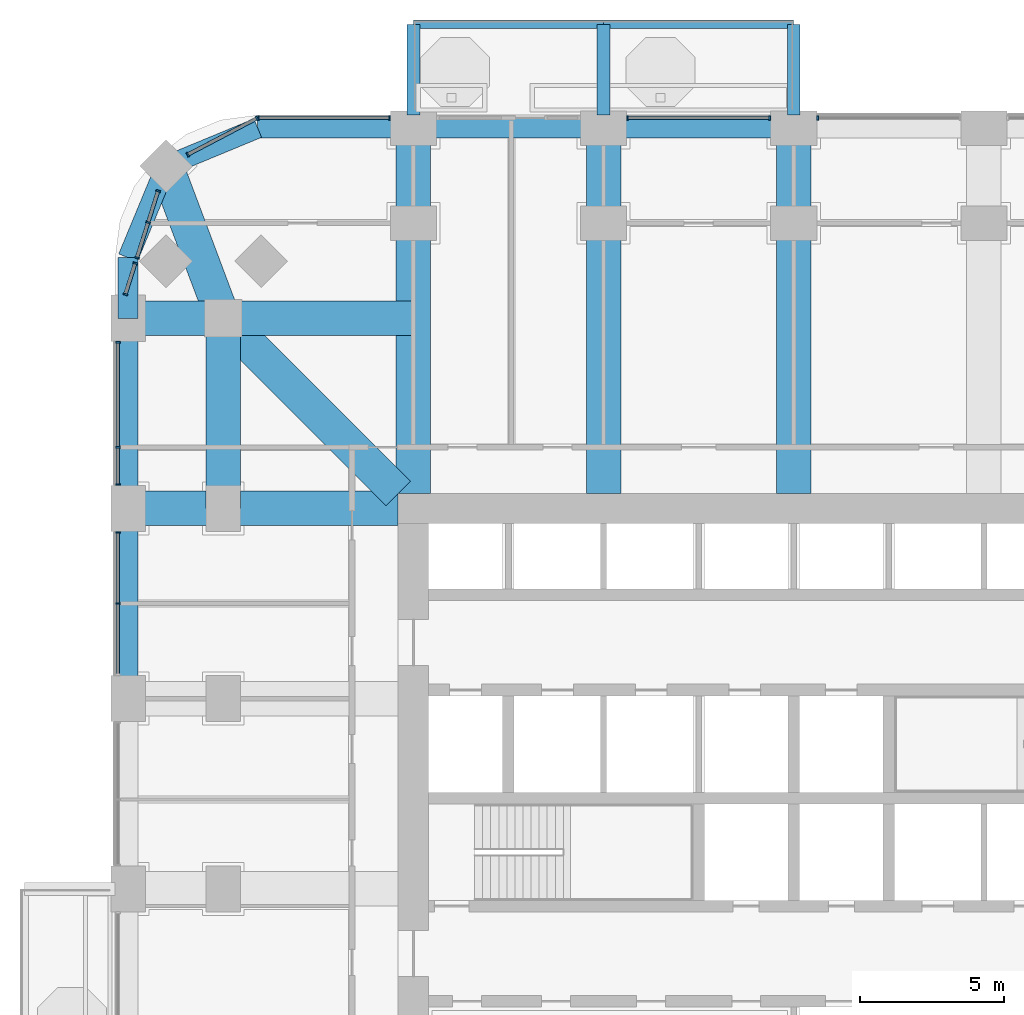
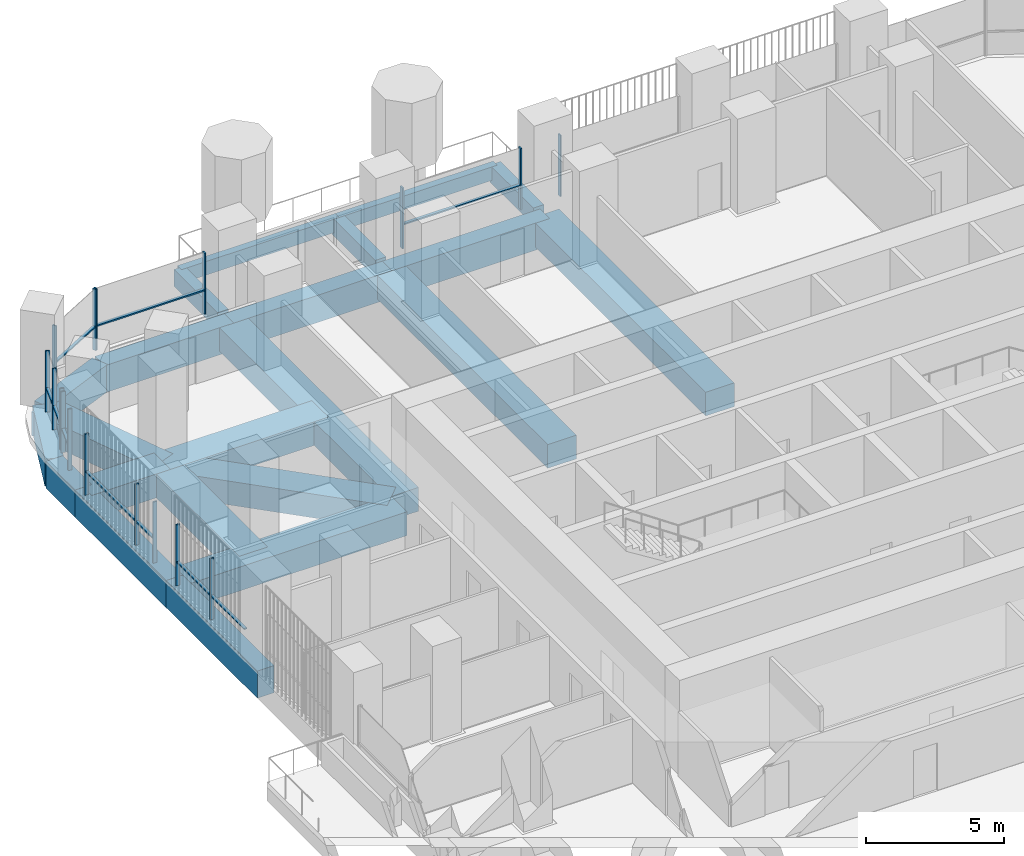
# One storey, part 6 of 21: 27 members, 22 beams, 8 elements without a shape of their own.
"""IFC4 building model written with IfcOpenShell, lengths in metres."""

from ifc_helpers import new_model, si_unit, direction, frame, origin, origin_2d, place, context, subcontext, project, spatial, rectangle, extrude, material, material_profile, profile_set, type_object, element, aggregate, save


model = new_model("IFC4")

# Units and contexts
model_context = context("Model", 3, precision=1e-05, world=origin(), true_north=direction((0.0, 1.0)))
body_context = subcontext(model_context, "Body", "Model", "MODEL_VIEW")
ifc_project = project(units=[si_unit("LENGTHUNIT", "METRE"), si_unit("AREAUNIT", "SQUARE_METRE"), si_unit("VOLUMEUNIT", "CUBIC_METRE"), si_unit("PLANEANGLEUNIT", "RADIAN"), si_unit("MASSUNIT", "GRAM", prefix="KILO")], contexts=[model_context])

# Site, building, storey
site_placement = place(None, origin())
site = spatial("IfcSite", under=ifc_project, at=site_placement, CompositionType="ELEMENT")
building_placement = place(site_placement, origin())
building = spatial("IfcBuilding", under=site, at=building_placement, Name="Cobogo Forest Laboratory Tower", CompositionType="ELEMENT")
storey_placement = place(building_placement, frame((0.0, 0.0, 107.39990234375)))
storey = spatial("IfcBuildingStorey", under=building, at=storey_placement, Name="L24", CompositionType="ELEMENT", Elevation=107.39990234375)

# Beams
ifc_material_1 = material(Name="Concrete HA-40 (C40/50)", Category="concrete")
ifc_material_profile_1 = material_profile(ifc_material_1, rectangle(XDim=0.449951171875, YDim=0.75, at=origin_2d()), Name="RC 450x750")
ifc_profile_set_1 = profile_set([ifc_material_profile_1], Name="Concrete HA-40 (C40/50)")
beam_type_1 = type_object("IfcBeamType", Name="Balcony cantilever beam 450x750", PredefinedType="BEAM", material=ifc_profile_set_1)
for number, where, z_axis, x_axis, name in (
    (1, (13.199951171875, 46.64990234375, -0.625), (0.0, 1.0, 0.0), (-1.0, 0.0, 0.0), "CB1 BAL-N1-C1 L24"),
    (2, (19.800048828125, 46.64990234375, -0.625), (0.0, 1.0, 0.0), (-1.0, 0.0, 0.0), "CB1 BAL-N1-C2 L24"),
    (3, (26.39990234375, 46.64990234375, -0.625), (0.0, 1.0, 0.0), (-1.0, 0.0, 0.0), "CB1 BAL-N1-C3 L24"),
):
    element("IfcBeam", number, at=place(storey_placement, frame(where, z_axis=z_axis, x_axis=x_axis)), inside=storey, type_object=beam_type_1, Name=name, PredefinedType="BEAM", context=body_context, shape_type="SweptSolid", body=[
        extrude(rectangle(XDim=0.449951171875, YDim=0.75, at=origin_2d()), origin(), (0.0, 0.0, 1.0), 3.150146484375),
    ])
ifc_material_profile_2 = material_profile(ifc_material_1, rectangle(XDim=0.300048828125, YDim=0.60009765625, at=origin_2d()), Name="RC 300x600")
ifc_profile_set_2 = profile_set([ifc_material_profile_2], Name="Concrete HA-40 (C40/50)")
beam_type_2 = type_object("IfcBeamType", Name="Balcony edge beam 300x600", PredefinedType="BEAM", material=ifc_profile_set_2)
beam_1_placement = place(storey_placement, frame((13.199951171875, 49.800048828125, -0.5498046875), z_axis=(1.0, 0.0, 0.0), x_axis=(0.0, 1.0, 0.0)))
element("IfcBeam", 4, at=beam_1_placement, inside=storey, type_object=beam_type_2, Name="BB1 BAL-N1-T1 L24", PredefinedType="BEAM", context=body_context, shape_type="SweptSolid", body=[
    extrude(rectangle(XDim=0.300048828125, YDim=0.60009765625, at=origin_2d()), origin(), (0.0, 0.0, 1.0), 6.60009765625),
])
beam_2_placement = place(storey_placement, frame((19.800048828125, 49.800048828125, -0.5498046875), z_axis=(1.0, 0.0, 0.0), x_axis=(0.0, 1.0, 0.0)))
element("IfcBeam", 5, at=beam_2_placement, inside=storey, type_object=beam_type_2, Name="BB1 BAL-N1-T2 L24", PredefinedType="BEAM", context=body_context, shape_type="SweptSolid", body=[
    extrude(rectangle(XDim=0.300048828125, YDim=0.60009765625, at=origin_2d()), origin(), (0.0, 0.0, 1.0), 6.599853515625),
])
ifc_material_profile_3 = material_profile(ifc_material_1, rectangle(XDim=1.199951171875, YDim=1.050048828125, at=origin_2d()), Name="RC 1200x1050")
ifc_profile_set_3 = profile_set([ifc_material_profile_3], Name="Concrete HA-40 (C40/50)")
beam_type_3 = type_object("IfcBeamType", Name="Laboratory floor wide beam 1200x1050", PredefinedType="BEAM", material=ifc_profile_set_3)
for number, where, z_axis, x_axis, name in (
    (6, (13.199951171875, 33.52490234375, -0.824951171875), (0.0, 1.0, 0.0), (-1.0, 0.0, 0.0), "RB1 R-3-N L24"),
    (7, (19.800048828125, 33.52490234375, -0.824951171875), (0.0, 1.0, 0.0), (-1.0, 0.0, 0.0), "RB1 R-4-N L24"),
    (8, (26.39990234375, 33.52490234375, -0.824951171875), (0.0, 1.0, 0.0), (-1.0, 0.0, 0.0), "RB1 R-5-N L24"),
):
    element("IfcBeam", number, at=place(storey_placement, frame(where, z_axis=z_axis, x_axis=x_axis)), inside=storey, type_object=beam_type_3, Name=name, PredefinedType="BEAM", context=body_context, shape_type="SweptSolid", body=[
        extrude(rectangle(XDim=1.199951171875, YDim=1.050048828125, at=origin_2d()), origin(), (0.0, 0.0, 1.0), 12.675048828125),
    ])
beam_3_placement = place(storey_placement, frame((12.675048828125, 33.0, -0.824951171875), z_axis=(-1.0, 0.0, 0.0), x_axis=(0.0, -1.0, 0.0)))
element("IfcBeam", 9, at=beam_3_placement, inside=storey, type_object=beam_type_3, Name="RB1 R-F-W L24", PredefinedType="BEAM", context=body_context, shape_type="SweptSolid", body=[
    extrude(rectangle(XDim=1.199951171875, YDim=1.050048828125, at=origin_2d()), origin(), (0.0, 0.0, 1.0), 9.375),
])
beam_4_placement = place(storey_placement, frame((6.60009765625, 39.60009765625, -0.824951171875), z_axis=(0.0, -1.0, 0.0), x_axis=(1.0, 0.0, 0.0)))
element("IfcBeam", 10, at=beam_4_placement, inside=storey, type_object=beam_type_3, Name="RB1 G-NW-XC L24", PredefinedType="BEAM", context=body_context, shape_type="SweptSolid", body=[
    extrude(rectangle(XDim=1.199951171875, YDim=1.050048828125, at=origin_2d()), origin(), (0.0, 0.0, 1.0), 6.60009765625),
])
beam_5_placement = place(storey_placement, frame((3.300048828125, 39.60009765625, -0.824951171875), z_axis=(1.0, 0.0, 0.0), x_axis=(0.0, 1.0, 0.0)))
element("IfcBeam", 11, at=beam_5_placement, inside=storey, type_object=beam_type_3, Name="RB1 G-NW-YF L24", PredefinedType="BEAM", context=body_context, shape_type="SweptSolid", body=[
    extrude(rectangle(XDim=1.199951171875, YDim=1.050048828125, at=origin_2d()), origin(), (0.0, 0.0, 1.0), 3.300048828125),
])
beam_6_placement = place(storey_placement, frame((6.60009765625, 39.60009765625, -0.824951171875), z_axis=(1.0, 0.0, 0.0), x_axis=(0.0, 1.0, 0.0)))
element("IfcBeam", 12, at=beam_6_placement, inside=storey, type_object=beam_type_3, Name="RB1 G-NW-YC L24", PredefinedType="BEAM", context=body_context, shape_type="SweptSolid", body=[
    extrude(rectangle(XDim=1.199951171875, YDim=1.050048828125, at=origin_2d()), origin(), (0.0, 0.0, 1.0), 6.599853515625),
])
beam_7_placement = place(storey_placement, frame((4.617919921875, 44.882080078125, -0.824951171875), z_axis=(0.351346325373, -0.936245565889, 0.0), x_axis=(0.936245565889, 0.351346325373, 0.0)))
element("IfcBeam", 13, at=beam_7_placement, inside=storey, type_object=beam_type_3, Name="RB1 G-NW-D1 L24", PredefinedType="BEAM", context=body_context, shape_type="SweptSolid", body=[
    extrude(rectangle(XDim=1.199951171875, YDim=1.050048828125, at=origin_2d()), origin(), (0.0, 0.0, 1.0), 5.6416015625),
])
beam_8_placement = place(storey_placement, frame((6.60009765625, 39.60009765625, -0.824951171875), z_axis=(0.707092572697, -0.70712098939, 0.0), x_axis=(0.70712098939, 0.707092572697, 0.0)))
element("IfcBeam", 14, at=beam_8_placement, inside=storey, type_object=beam_type_3, Name="RB1 G-NW-D2 L24", PredefinedType="BEAM", context=body_context, shape_type="SweptSolid", body=[
    extrude(rectangle(XDim=1.199951171875, YDim=1.050048828125, at=origin_2d()), origin(), (0.0, 0.0, 1.0), 8.591552734375),
])

# Curtain wall, member
ifc_material_2 = material(Name="Aluminium curtain wall", Category="aluminium")
curtain_wall_type = type_object("IfcCurtainWallType", Name="CW-1 unitised curtain wall, clear glazing, laboratory floors zones A and B", PredefinedType="USERDEFINED", material=ifc_material_2)
curtain_wall_1_placement = place(storey_placement, origin())
curtain_wall_1 = element("IfcCurtainWall", 15, at=curtain_wall_1_placement, inside=storey, type_object=curtain_wall_type, Name="Curtain wall 20 L24", ObjectType="UNITISED CURTAIN WALL", PredefinedType="USERDEFINED")
ifc_material_3 = material(Name="Aluminium mullion", Category="aluminium")
ifc_material_profile_4 = material_profile(ifc_material_3, rectangle(XDim=0.06005859375, YDim=0.159912109375, at=origin_2d()), Name="AL 60x160")
ifc_profile_set_4 = profile_set([ifc_material_profile_4], Name="Aluminium mullion")
member_type_1 = type_object("IfcMemberType", Name="MU-1 aluminium mullion 60x160", PredefinedType="MULLION", material=ifc_profile_set_4)
member_1_placement = place(storey_placement, frame((27.22998046875, 46.550048828125, 0.0), z_axis=(0.0, 0.0, 1.0), x_axis=(-1.0, 0.0, 0.0)))
member_1 = element("IfcMember", 16, at=member_1_placement, type_object=member_type_1, Name="CW-1 mullion 2", PredefinedType="MULLION", context=body_context, shape_type="SweptSolid", body=[
    extrude(rectangle(XDim=0.06005859375, YDim=0.159912109375, at=origin_2d()), origin(), (0.0, 0.0, 1.0), 2.7001953125),
])
aggregate(curtain_wall_1, [member_1])

# Curtain wall, members
curtain_wall_2_placement = place(storey_placement, origin())
curtain_wall_2 = element("IfcCurtainWall", 17, at=curtain_wall_2_placement, inside=storey, type_object=curtain_wall_type, Name="Curtain wall 21 L24", ObjectType="UNITISED CURTAIN WALL", PredefinedType="USERDEFINED")
member_2_placement = place(storey_placement, frame((25.570068359375, 46.550048828125, 0.0), z_axis=(0.0, 0.0, 1.0), x_axis=(-1.0, 0.0, 0.0)))
member_2 = element("IfcMember", 18, at=member_2_placement, type_object=member_type_1, Name="CW-1 mullion 1", PredefinedType="MULLION", context=body_context, shape_type="SweptSolid", body=[
    extrude(rectangle(XDim=0.06005859375, YDim=0.159912109375, at=origin_2d()), origin(), (0.0, 0.0, 1.0), 2.7001953125),
])
member_3_placement = place(storey_placement, frame((20.6298828125, 46.550048828125, 0.0), z_axis=(0.0, 0.0, 1.0), x_axis=(-1.0, 0.0, 0.0)))
member_3 = element("IfcMember", 19, at=member_3_placement, type_object=member_type_1, Name="CW-1 mullion 2", PredefinedType="MULLION", context=body_context, shape_type="SweptSolid", body=[
    extrude(rectangle(XDim=0.06005859375, YDim=0.159912109375, at=origin_2d()), origin(), (0.0, 0.0, 1.0), 2.7001953125),
])

curtain_wall_3_placement = place(storey_placement, origin())
curtain_wall_3 = element("IfcCurtainWall", 20, at=curtain_wall_3_placement, inside=storey, type_object=curtain_wall_type, Name="Curtain wall 23 L24", ObjectType="UNITISED CURTAIN WALL", PredefinedType="USERDEFINED")
member_4_placement = place(storey_placement, frame((12.3701171875, 46.550048828125, 0.0), z_axis=(0.0, 0.0, 1.0), x_axis=(-1.0, 0.0, 0.0)))
member_4 = element("IfcMember", 21, at=member_4_placement, type_object=member_type_1, Name="CW-1 mullion 1", PredefinedType="MULLION", context=body_context, shape_type="SweptSolid", body=[
    extrude(rectangle(XDim=0.06005859375, YDim=0.159912109375, at=origin_2d()), origin(), (0.0, 0.0, 1.0), 2.7001953125),
])
member_5_placement = place(storey_placement, frame((7.830078125, 46.550048828125, 0.0), z_axis=(0.0, 0.0, 1.0), x_axis=(-1.0, 0.0, 0.0)))
member_5 = element("IfcMember", 22, at=member_5_placement, type_object=member_type_1, Name="CW-1 mullion 2", PredefinedType="MULLION", context=body_context, shape_type="SweptSolid", body=[
    extrude(rectangle(XDim=0.06005859375, YDim=0.159912109375, at=origin_2d()), origin(), (0.0, 0.0, 1.0), 2.7001953125),
])

curtain_wall_4_placement = place(storey_placement, origin())
curtain_wall_4 = element("IfcCurtainWall", 23, at=curtain_wall_4_placement, inside=storey, type_object=curtain_wall_type, Name="Curtain wall 24 L24", ObjectType="UNITISED CURTAIN WALL", PredefinedType="USERDEFINED")
member_6_placement = place(storey_placement, frame((7.7734375, 46.5361328125, 0.0), z_axis=(0.0, 0.0, 1.0), x_axis=(-0.885686547075, -0.464283685186, 0.0)))
member_6 = element("IfcMember", 24, at=member_6_placement, type_object=member_type_1, Name="CW-1 mullion 1", PredefinedType="MULLION", context=body_context, shape_type="SweptSolid", body=[
    extrude(rectangle(XDim=0.06005859375, YDim=0.159912109375, at=origin_2d()), origin(), (0.0, 0.0, 1.0), 2.7001953125),
])
member_7_placement = place(storey_placement, frame((5.368408203125, 45.275390625, 0.0), z_axis=(0.0, 0.0, 1.0), x_axis=(-0.885686547075, -0.464283685186, 0.0)))
member_7 = element("IfcMember", 25, at=member_7_placement, type_object=member_type_1, Name="CW-1 mullion 2", PredefinedType="MULLION", context=body_context, shape_type="SweptSolid", body=[
    extrude(rectangle(XDim=0.06005859375, YDim=0.159912109375, at=origin_2d()), origin(), (0.0, 0.0, 1.0), 2.7001953125),
])

curtain_wall_5_placement = place(storey_placement, origin())
curtain_wall_5 = element("IfcCurtainWall", 26, at=curtain_wall_5_placement, inside=storey, type_object=curtain_wall_type, Name="Curtain wall 25 L24", ObjectType="UNITISED CURTAIN WALL", PredefinedType="USERDEFINED")
member_8_placement = place(storey_placement, frame((4.34423828125, 44.01513671875, 0.0), z_axis=(0.0, 0.0, 1.0), x_axis=(-0.301135291996, -0.953581425949, 0.0)))
member_8 = element("IfcMember", 27, at=member_8_placement, type_object=member_type_1, Name="CW-1 mullion 1", PredefinedType="MULLION", context=body_context, shape_type="SweptSolid", body=[
    extrude(rectangle(XDim=0.06005859375, YDim=0.159912109375, at=origin_2d()), origin(), (0.0, 0.0, 1.0), 2.7001953125),
])
member_9_placement = place(storey_placement, frame((3.999755859375, 42.924072265625, 0.0), z_axis=(0.0, 0.0, 1.0), x_axis=(-0.301135291996, -0.953581425949, 0.0)))
member_9 = element("IfcMember", 28, at=member_9_placement, type_object=member_type_1, Name="CW-1 mullion 2", PredefinedType="MULLION", context=body_context, shape_type="SweptSolid", body=[
    extrude(rectangle(XDim=0.06005859375, YDim=0.159912109375, at=origin_2d()), origin(), (0.0, 0.0, 1.0), 2.7001953125),
])
member_10_placement = place(storey_placement, frame((3.613037109375, 41.69970703125, 0.0), z_axis=(0.0, 0.0, 1.0), x_axis=(-0.301135291996, -0.953581425949, 0.0)))
member_10 = element("IfcMember", 29, at=member_10_placement, type_object=member_type_1, Name="CW-1 mullion 3", PredefinedType="MULLION", context=body_context, shape_type="SweptSolid", body=[
    extrude(rectangle(XDim=0.06005859375, YDim=0.159912109375, at=origin_2d()), origin(), (0.0, 0.0, 1.0), 2.7001953125),
])

curtain_wall_6_placement = place(storey_placement, origin())
curtain_wall_6 = element("IfcCurtainWall", 30, at=curtain_wall_6_placement, inside=storey, type_object=curtain_wall_type, Name="Curtain wall 26 L24", ObjectType="UNITISED CURTAIN WALL", PredefinedType="USERDEFINED")
member_11_placement = place(storey_placement, frame((3.55224609375, 41.507080078125, 0.0), z_axis=(0.0, 0.0, 1.0), x_axis=(-0.301135667865, -0.953581307252, 0.0)))
member_11 = element("IfcMember", 31, at=member_11_placement, type_object=member_type_1, Name="CW-1 mullion 1", PredefinedType="MULLION", context=body_context, shape_type="SweptSolid", body=[
    extrude(rectangle(XDim=0.06005859375, YDim=0.159912109375, at=origin_2d()), origin(), (0.0, 0.0, 1.0), 2.7001953125),
])
member_12_placement = place(storey_placement, frame((3.211669921875, 40.4287109375, 0.0), z_axis=(0.0, 0.0, 1.0), x_axis=(-0.301135667865, -0.953581307252, 0.0)))
member_12 = element("IfcMember", 32, at=member_12_placement, type_object=member_type_1, Name="CW-1 mullion 2", PredefinedType="MULLION", context=body_context, shape_type="SweptSolid", body=[
    extrude(rectangle(XDim=0.06005859375, YDim=0.159912109375, at=origin_2d()), origin(), (0.0, 0.0, 1.0), 2.7001953125),
])

curtain_wall_7_placement = place(storey_placement, origin())
curtain_wall_7 = element("IfcCurtainWall", 33, at=curtain_wall_7_placement, inside=storey, type_object=curtain_wall_type, Name="Curtain wall 27 L24", ObjectType="UNITISED CURTAIN WALL", PredefinedType="USERDEFINED")
member_13_placement = place(storey_placement, frame((2.949951171875, 38.77001953125, 0.0), z_axis=(0.0, 0.0, 1.0), x_axis=(0.0, -1.0, 0.0)))
member_13 = element("IfcMember", 34, at=member_13_placement, type_object=member_type_1, Name="CW-1 mullion 1", PredefinedType="MULLION", context=body_context, shape_type="SweptSolid", body=[
    extrude(rectangle(XDim=0.06005859375, YDim=0.159912109375, at=origin_2d()), origin(), (0.0, 0.0, 1.0), 2.7001953125),
])
member_14_placement = place(storey_placement, frame((2.949951171875, 35.125, 0.0), z_axis=(0.0, 0.0, 1.0), x_axis=(0.0, -1.0, 0.0)))
member_14 = element("IfcMember", 35, at=member_14_placement, type_object=member_type_1, Name="CW-1 mullion 2", PredefinedType="MULLION", context=body_context, shape_type="SweptSolid", body=[
    extrude(rectangle(XDim=0.06005859375, YDim=0.159912109375, at=origin_2d()), origin(), (0.0, 0.0, 1.0), 2.7001953125),
])
member_15_placement = place(storey_placement, frame((2.949951171875, 33.830078125, 0.0), z_axis=(0.0, 0.0, 1.0), x_axis=(0.0, -1.0, 0.0)))
member_15 = element("IfcMember", 36, at=member_15_placement, type_object=member_type_1, Name="CW-1 mullion 3", PredefinedType="MULLION", context=body_context, shape_type="SweptSolid", body=[
    extrude(rectangle(XDim=0.06005859375, YDim=0.159912109375, at=origin_2d()), origin(), (0.0, 0.0, 1.0), 2.7001953125),
])

curtain_wall_8_placement = place(storey_placement, origin())
curtain_wall_8 = element("IfcCurtainWall", 37, at=curtain_wall_8_placement, inside=storey, type_object=curtain_wall_type, Name="Curtain wall 28 L24", ObjectType="UNITISED CURTAIN WALL", PredefinedType="USERDEFINED")
member_16_placement = place(storey_placement, frame((2.949951171875, 32.169921875, 0.0), z_axis=(0.0, 0.0, 1.0), x_axis=(0.0, -1.0, 0.0)))
member_16 = element("IfcMember", 38, at=member_16_placement, type_object=member_type_1, Name="CW-1 mullion 1", PredefinedType="MULLION", context=body_context, shape_type="SweptSolid", body=[
    extrude(rectangle(XDim=0.06005859375, YDim=0.159912109375, at=origin_2d()), origin(), (0.0, 0.0, 1.0), 2.7001953125),
])
member_17_placement = place(storey_placement, frame((2.949951171875, 29.699951171875, 0.0), z_axis=(0.0, 0.0, 1.0), x_axis=(0.0, -1.0, 0.0)))
member_17 = element("IfcMember", 39, at=member_17_placement, type_object=member_type_1, Name="CW-1 mullion 2", PredefinedType="MULLION", context=body_context, shape_type="SweptSolid", body=[
    extrude(rectangle(XDim=0.06005859375, YDim=0.159912109375, at=origin_2d()), origin(), (0.0, 0.0, 1.0), 2.7001953125),
])

# Beams
ifc_material_profile_5 = material_profile(ifc_material_1, rectangle(XDim=0.699951171875, YDim=1.199951171875, at=origin_2d()), Name="RC 700x1200")
ifc_profile_set_5 = profile_set([ifc_material_profile_5], Name="Concrete HA-40 (C40/50)")
beam_type_4 = type_object("IfcBeamType", Name="Perimeter edge beam 700x1200", PredefinedType="BEAM", material=ifc_profile_set_5)
beam_9_placement = place(storey_placement, frame((13.199951171875, 46.199951171875, -0.89990234375), z_axis=(1.0, 0.0, 0.0), x_axis=(0.0, 1.0, 0.0)))
element("IfcBeam", 40, at=beam_9_placement, inside=storey, type_object=beam_type_4, Name="EB1 E-N1 L24", PredefinedType="BEAM", context=body_context, shape_type="SweptSolid", body=[
    extrude(rectangle(XDim=0.699951171875, YDim=1.199951171875, at=origin_2d()), origin(), (0.0, 0.0, 1.0), 6.60009765625),
])
beam_10_placement = place(storey_placement, frame((19.800048828125, 46.199951171875, -0.89990234375), z_axis=(1.0, 0.0, 0.0), x_axis=(0.0, 1.0, 0.0)))
element("IfcBeam", 41, at=beam_10_placement, inside=storey, type_object=beam_type_4, Name="EB1 E-N2 L24", PredefinedType="BEAM", context=body_context, shape_type="SweptSolid", body=[
    extrude(rectangle(XDim=0.699951171875, YDim=1.199951171875, at=origin_2d()), origin(), (0.0, 0.0, 1.0), 6.599853515625),
])
for number, where, z_axis, x_axis, name in (
    (42, (3.300048828125, 26.39990234375, -0.89990234375), (0.0, 1.0, 0.0), (-1.0, 0.0, 0.0), "EB1 E-W4 L24"),
    (43, (3.300048828125, 33.0, -0.89990234375), (0.0, 1.0, 0.0), (-1.0, 0.0, 0.0), "EB1 E-W5 L24"),
):
    element("IfcBeam", number, at=place(storey_placement, frame(where, z_axis=z_axis, x_axis=x_axis)), inside=storey, type_object=beam_type_4, Name=name, PredefinedType="BEAM", context=body_context, shape_type="SweptSolid", body=[
        extrude(rectangle(XDim=0.699951171875, YDim=1.199951171875, at=origin_2d()), origin(), (0.0, 0.0, 1.0), 6.60009765625),
    ])
beam_11_placement = place(storey_placement, frame((13.199951171875, 46.199951171875, -0.89990234375), z_axis=(-1.0, 0.0, 0.0), x_axis=(0.0, -1.0, 0.0)))
element("IfcBeam", 44, at=beam_11_placement, inside=storey, type_object=beam_type_4, Name="EB1 E-NWN1 L24", PredefinedType="BEAM", context=body_context, shape_type="SweptSolid", body=[
    extrude(rectangle(XDim=0.699951171875, YDim=1.199951171875, at=origin_2d()), origin(), (0.0, 0.0, 1.0), 5.39990234375),
])
beam_12_placement = place(storey_placement, frame((7.800048828125, 46.199951171875, -0.89990234375), z_axis=(-0.923901072997, -0.382631424892, 0.0), x_axis=(0.382631424892, -0.923901072997, 0.0)))
element("IfcBeam", 45, at=beam_12_placement, inside=storey, type_object=beam_type_4, Name="EB1 E-NWN2 L24", PredefinedType="BEAM", context=body_context, shape_type="SweptSolid", body=[
    extrude(rectangle(XDim=0.699951171875, YDim=1.199951171875, at=origin_2d()), origin(), (0.0, 0.0, 1.0), 3.4443359375),
])
beam_13_placement = place(storey_placement, frame((3.300048828125, 39.60009765625, -0.89990234375), z_axis=(0.0, 1.0, 0.0), x_axis=(-1.0, 0.0, 0.0)))
element("IfcBeam", 46, at=beam_13_placement, inside=storey, type_object=beam_type_4, Name="EB1 E-NWW1 L24", PredefinedType="BEAM", context=body_context, shape_type="SweptSolid", body=[
    extrude(rectangle(XDim=0.699951171875, YDim=1.199951171875, at=origin_2d()), origin(), (0.0, 0.0, 1.0), 2.099853515625),
])
beam_14_placement = place(storey_placement, frame((3.300048828125, 41.699951171875, -0.89990234375), z_axis=(0.382631424892, 0.923901072997, 0.0), x_axis=(-0.923901072997, 0.382631424892, 0.0)))
element("IfcBeam", 47, at=beam_14_placement, inside=storey, type_object=beam_type_4, Name="EB1 E-NWW2 L24", PredefinedType="BEAM", context=body_context, shape_type="SweptSolid", body=[
    extrude(rectangle(XDim=0.699951171875, YDim=1.199951171875, at=origin_2d()), origin(), (0.0, 0.0, 1.0), 3.4443359375),
])

# Member
ifc_material_4 = material(Name="Aluminium transom", Category="aluminium")
ifc_material_profile_6 = material_profile(ifc_material_4, rectangle(XDim=0.1201171875, YDim=0.06005859375, at=origin_2d()), Name="AL 60x120")
ifc_profile_set_6 = profile_set([ifc_material_profile_6], Name="Aluminium transom")
member_type_2 = type_object("IfcMemberType", Name="TR-1 aluminium transom 60x120", PredefinedType="USERDEFINED", material=ifc_profile_set_6)
member_18_placement = place(storey_placement, frame((25.5400390625, 46.550048828125, 1.050048828125), z_axis=(-1.0, 0.0, 0.0), x_axis=(0.0, -1.0, 0.0)))
member_18 = element("IfcMember", 48, at=member_18_placement, type_object=member_type_2, Name="CW-1 transom 1.1", ObjectType="TRANSOM", PredefinedType="USERDEFINED", context=body_context, shape_type="SweptSolid", body=[
    extrude(rectangle(XDim=0.1201171875, YDim=0.06005859375, at=origin_2d()), origin(), (0.0, 0.0, 1.0), 4.880126953125),
])

aggregate(curtain_wall_2, [member_2, member_3, member_18])

member_19_placement = place(storey_placement, frame((12.340087890625, 46.550048828125, 1.050048828125), z_axis=(-1.0, 0.0, 0.0), x_axis=(0.0, -1.0, 0.0)))
member_19 = element("IfcMember", 49, at=member_19_placement, type_object=member_type_2, Name="CW-1 transom 1.1", ObjectType="TRANSOM", PredefinedType="USERDEFINED", context=body_context, shape_type="SweptSolid", body=[
    extrude(rectangle(XDim=0.1201171875, YDim=0.06005859375, at=origin_2d()), origin(), (0.0, 0.0, 1.0), 4.47998046875),
])

aggregate(curtain_wall_3, [member_4, member_5, member_19])

member_20_placement = place(storey_placement, frame((7.746826171875, 46.522216796875, 1.050048828125), z_axis=(-0.885694740493, -0.464268054753, 0.0), x_axis=(0.464268054753, -0.885694740493, 0.0)))
member_20 = element("IfcMember", 50, at=member_20_placement, type_object=member_type_2, Name="CW-1 transom 1.1", ObjectType="TRANSOM", PredefinedType="USERDEFINED", context=body_context, shape_type="SweptSolid", body=[
    extrude(rectangle(XDim=0.1201171875, YDim=0.06005859375, at=origin_2d()), origin(), (0.0, 0.0, 1.0), 2.655517578125),
])

aggregate(curtain_wall_4, [member_6, member_7, member_20])

member_21_placement = place(storey_placement, frame((4.335205078125, 43.986328125, 1.050048828125), z_axis=(-0.301120589075, -0.953586068918, 0.0), x_axis=(0.953586068918, -0.301120589075, 0.0)))
member_21 = element("IfcMember", 51, at=member_21_placement, type_object=member_type_2, Name="CW-1 transom 1.1", ObjectType="TRANSOM", PredefinedType="USERDEFINED", context=body_context, shape_type="SweptSolid", body=[
    extrude(rectangle(XDim=0.1201171875, YDim=0.06005859375, at=origin_2d()), origin(), (0.0, 0.0, 1.0), 1.083984375),
])

member_22_placement = place(storey_placement, frame((3.99072265625, 42.8955078125, 1.050048828125), z_axis=(-0.301169549566, -0.953570606937, 0.0), x_axis=(0.953570606937, -0.301169549566, 0.0)))
member_22 = element("IfcMember", 52, at=member_22_placement, type_object=member_type_2, Name="CW-1 transom 2.1", ObjectType="TRANSOM", PredefinedType="USERDEFINED", context=body_context, shape_type="SweptSolid", body=[
    extrude(rectangle(XDim=0.1201171875, YDim=0.06005859375, at=origin_2d()), origin(), (0.0, 0.0, 1.0), 1.22412109375),
])

aggregate(curtain_wall_5, [member_8, member_9, member_10, member_21, member_22])

member_23_placement = place(storey_placement, frame((3.543212890625, 41.478515625, 1.050048828125), z_axis=(-0.3011422781, -0.953579219751, 0.0), x_axis=(0.953579219751, -0.3011422781, 0.0)))
member_23 = element("IfcMember", 53, at=member_23_placement, type_object=member_type_2, Name="CW-1 transom 1.1", ObjectType="TRANSOM", PredefinedType="USERDEFINED", context=body_context, shape_type="SweptSolid", body=[
    extrude(rectangle(XDim=0.1201171875, YDim=0.06005859375, at=origin_2d()), origin(), (0.0, 0.0, 1.0), 1.071044921875),
])

aggregate(curtain_wall_6, [member_11, member_12, member_23])

member_24_placement = place(storey_placement, frame((2.949951171875, 38.739990234375, 1.050048828125), z_axis=(0.0, -1.0, 0.0), x_axis=(1.0, 0.0, 0.0)))
member_24 = element("IfcMember", 54, at=member_24_placement, type_object=member_type_2, Name="CW-1 transom 1.1", ObjectType="TRANSOM", PredefinedType="USERDEFINED", context=body_context, shape_type="SweptSolid", body=[
    extrude(rectangle(XDim=0.1201171875, YDim=0.06005859375, at=origin_2d()), origin(), (0.0, 0.0, 1.0), 3.5849609375),
])

member_25_placement = place(storey_placement, frame((2.949951171875, 35.094970703125, 1.050048828125), z_axis=(0.0, -1.0, 0.0), x_axis=(1.0, 0.0, 0.0)))
member_25 = element("IfcMember", 55, at=member_25_placement, type_object=member_type_2, Name="CW-1 transom 2.1", ObjectType="TRANSOM", PredefinedType="USERDEFINED", context=body_context, shape_type="SweptSolid", body=[
    extrude(rectangle(XDim=0.1201171875, YDim=0.06005859375, at=origin_2d()), origin(), (0.0, 0.0, 1.0), 1.23486328125),
])

aggregate(curtain_wall_7, [member_13, member_14, member_15, member_24, member_25])

member_26_placement = place(storey_placement, frame((2.949951171875, 32.139892578125, 1.050048828125), z_axis=(0.0, -1.0, 0.0), x_axis=(1.0, 0.0, 0.0)))
member_26 = element("IfcMember", 56, at=member_26_placement, type_object=member_type_2, Name="CW-1 transom 1.1", ObjectType="TRANSOM", PredefinedType="USERDEFINED", context=body_context, shape_type="SweptSolid", body=[
    extrude(rectangle(XDim=0.1201171875, YDim=0.06005859375, at=origin_2d()), origin(), (0.0, 0.0, 1.0), 2.409912109375),
])

member_27_placement = place(storey_placement, frame((2.949951171875, 29.669921875, 1.050048828125), z_axis=(0.0, -1.0, 0.0), x_axis=(1.0, 0.0, 0.0)))
member_27 = element("IfcMember", 57, at=member_27_placement, type_object=member_type_2, Name="CW-1 transom 2.1", ObjectType="TRANSOM", PredefinedType="USERDEFINED", context=body_context, shape_type="SweptSolid", body=[
    extrude(rectangle(XDim=0.1201171875, YDim=0.06005859375, at=origin_2d()), origin(), (0.0, 0.0, 1.0), 2.409912109375),
])

aggregate(curtain_wall_8, [member_16, member_17, member_26, member_27])

save(model, "model.ifc")
